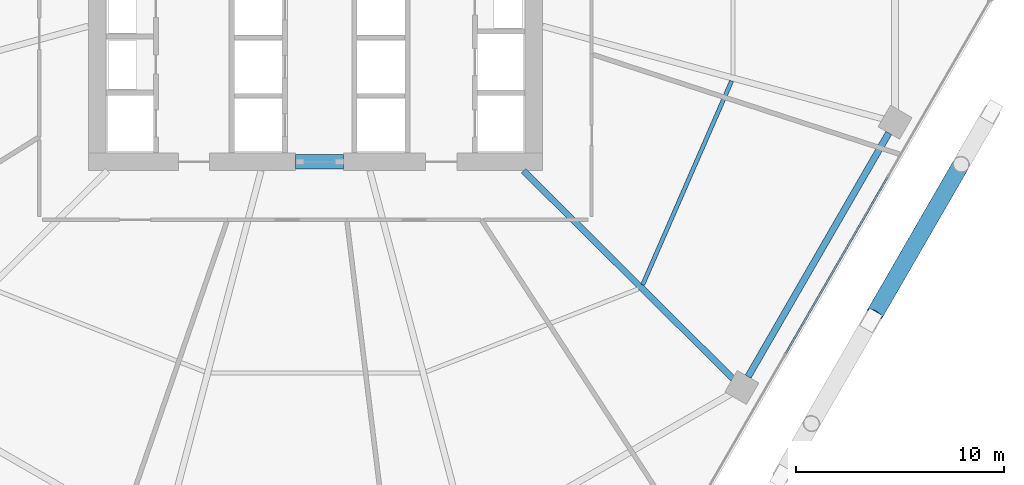
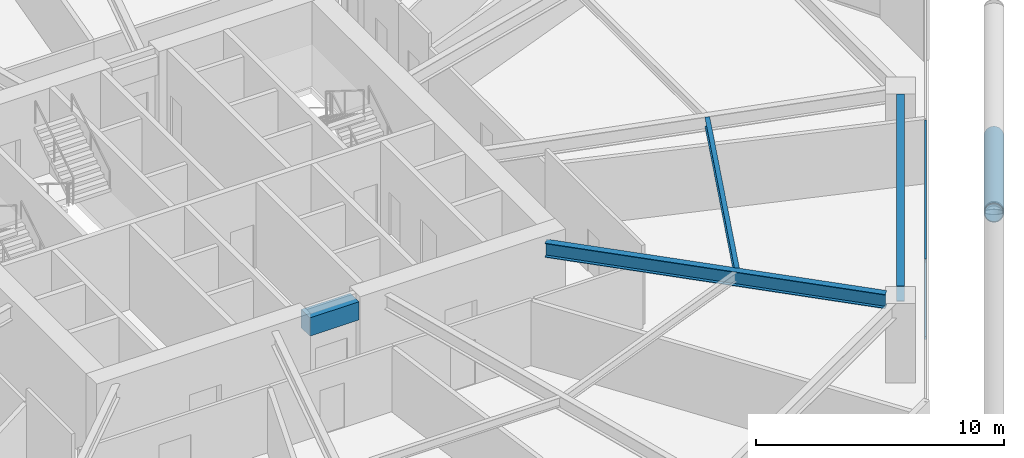
# One storey, part 10 of 28: 4 beams, 3 members, 1 element without a shape of its own.
"""IFC4 building model written with IfcOpenShell, lengths in metres."""

from ifc_helpers import new_model, si_unit, direction, frame, origin, origin_2d, place, context, subcontext, project, spatial, rectangle, hollow_rectangle, hollow_circle, i_section, extrude, material, material_profile, profile_set, type_object, element, aggregate, save


model = new_model("IFC4")

# Units and contexts
model_context = context("Model", 3, precision=1e-05, world=origin(), true_north=direction((0.0, 1.0)))
body_context = subcontext(model_context, "Body", "Model", "MODEL_VIEW")
ifc_project = project(units=[si_unit("LENGTHUNIT", "METRE"), si_unit("AREAUNIT", "SQUARE_METRE"), si_unit("VOLUMEUNIT", "CUBIC_METRE"), si_unit("PLANEANGLEUNIT", "RADIAN"), si_unit("MASSUNIT", "GRAM", prefix="KILO")], contexts=[model_context])

# Site, building, storey
site_placement = place(None, origin())
site = spatial("IfcSite", under=ifc_project, at=site_placement, CompositionType="ELEMENT")
building_placement = place(site_placement, origin())
building = spatial("IfcBuilding", under=site, at=building_placement, Name="Zuhravey Tower", CompositionType="ELEMENT")
storey_placement = place(building_placement, frame((0.0, 0.0, 24.60009765625)))
storey = spatial("IfcBuildingStorey", under=building, at=storey_placement, Name="L06", CompositionType="ELEMENT", Elevation=24.60009765625)

# Beam
ifc_material_1 = material(Name="Concrete C60/75", Category="concrete")
ifc_material_profile_1 = material_profile(ifc_material_1, rectangle(XDim=0.699951171875, YDim=0.89990234375, at=origin_2d()), Name="RC-700x900")
ifc_profile_set_1 = profile_set([ifc_material_profile_1], Name="Concrete C60/75")
beam_type_1 = type_object("IfcBeamType", Name="Core Coupling Beam RC700x900", PredefinedType="LINTEL", material=ifc_profile_set_1)
beam_1_placement = place(storey_placement, frame((35.052001953125, 22.5, 3.469970703125), z_axis=(1.0, 0.0, 0.0), x_axis=(0.0, 1.0, 0.0)))
element("IfcBeam", 1, at=beam_1_placement, inside=storey, type_object=beam_type_1, Name="L06 CB1 BM-L06-CB-S", PredefinedType="LINTEL", context=body_context, shape_type="SweptSolid", body=[
    extrude(rectangle(XDim=0.699951171875, YDim=0.89990234375, at=origin_2d()), origin(), (0.0, 0.0, 1.0), 2.2958984375),
])

# Curtain wall, members
ifc_material_2 = material(Name="Thermally broken anodised aluminium", Category="aluminium")
curtain_wall_type = type_object("IfcCurtainWallType", Name="School Low-E Unitised Curtain Wall CW1", PredefinedType="NOTDEFINED", material=ifc_material_2)
curtain_wall_placement = place(storey_placement, origin())
curtain_wall = element("IfcCurtainWall", 2, at=curtain_wall_placement, inside=storey, type_object=curtain_wall_type, Name="L06 CW1 CW-L06-F6-1", PredefinedType="NOTDEFINED")
ifc_material_3 = material(Name="Anodised aluminium", Category="aluminium")
ifc_material_profile_2 = material_profile(ifc_material_3, hollow_rectangle(XDim=0.090087890625, YDim=0.14990234375, WallThickness=0.0048828125, at=origin_2d()), Name="ALU-RHS-90x150x5")
ifc_profile_set_2 = profile_set([ifc_material_profile_2], Name="Anodised aluminium")
member_type_1 = type_object("IfcMemberType", Name="Curtain-Wall Transom 90x150", PredefinedType="USERDEFINED", material=ifc_profile_set_2)
member_1_placement = place(storey_placement, frame((63.52294921875, 21.754150390625, 0.044921875), z_axis=(-0.499990498062, -0.866030889661, 0.0), x_axis=(0.866030889661, -0.499990498062, 0.0)))
member_1 = element("IfcMember", 3, at=member_1_placement, type_object=member_type_1, Name="CW1 transom 2.1", ObjectType="TRANSOM", PredefinedType="USERDEFINED", context=body_context, shape_type="SweptSolid", body=[
    extrude(hollow_rectangle(XDim=0.090087890625, YDim=0.14990234375, WallThickness=0.0048828125, at=origin_2d()), origin(), (0.0, 0.0, 1.0), 9.776611328125),
])
member_2_placement = place(storey_placement, frame((63.52294921875, 21.754150390625, 3.875), z_axis=(-0.499990498062, -0.866030889661, 0.0), x_axis=(0.866030889661, -0.499990498062, 0.0)))
member_2 = element("IfcMember", 4, at=member_2_placement, type_object=member_type_1, Name="CW1 transom 2.2", ObjectType="TRANSOM", PredefinedType="USERDEFINED", context=body_context, shape_type="SweptSolid", body=[
    extrude(hollow_rectangle(XDim=0.090087890625, YDim=0.14990234375, WallThickness=0.0048828125, at=origin_2d()), origin(), (0.0, 0.0, 1.0), 9.776611328125),
])
aggregate(curtain_wall, [member_1, member_2])

# Member
ifc_material_4 = material(Name="Steel SM460", Category="steel")
ifc_material_profile_3 = material_profile(ifc_material_4, hollow_circle(Radius=0.406494140625, WallThickness=0.035888671875, at=origin_2d()), Name="CHS-812.8x36")
ifc_profile_set_3 = profile_set([ifc_material_profile_3], Name="Steel SM460")
member_type_2 = type_object("IfcMemberType", Name="Exoskeleton Zone 1 Diagrid CHS813x36", PredefinedType="BRACE", material=ifc_profile_set_3)
member_3_placement = place(storey_placement, frame((68.513671875, 24.87841796875, -0.47705078125), z_axis=(-0.470165522703, -0.814361240323, 0.340235435427), x_axis=(0.866028239721, -0.499995087982, 0.0)))
element("IfcMember", 5, at=member_3_placement, inside=storey, type_object=member_type_2, Name="L06 Face 6 Split Diagrid Brace 3A", PredefinedType="BRACE", context=body_context, shape_type="SweptSolid", body=[
    extrude(hollow_circle(Radius=0.406494140625, WallThickness=0.035888671875, at=origin_2d()), origin(), (0.0, 0.0, 1.0), 11.89794921875),
])

# Beams
ifc_material_5 = material(Name="Steel SM355", Category="steel")
ifc_material_profile_4 = material_profile(ifc_material_5, i_section(OverallWidth=0.320068359375, OverallDepth=0.75, WebThickness=0.013916015625, FlangeThickness=0.02490234375, at=origin_2d()), Name="H-750x320x14x25")
ifc_profile_set_4 = profile_set([ifc_material_profile_4], Name="Steel SM355")
beam_type_2 = type_object("IfcBeamType", Name="Perimeter Ring Beam H750x320", PredefinedType="BEAM", material=ifc_profile_set_4)
beam_2_placement = place(storey_placement, frame((56.820556640625, 12.165283203125, 3.544921875), z_axis=(0.499999877243, 0.866025474658, 0.0), x_axis=(-0.866025474658, 0.499999877243, 0.0)))
element("IfcBeam", 6, at=beam_2_placement, inside=storey, type_object=beam_type_2, Name="L06 PB1 BM-L06-PB-11", PredefinedType="BEAM", context=body_context, shape_type="SweptSolid", body=[
    extrude(i_section(OverallWidth=0.320068359375, OverallDepth=0.75, WebThickness=0.013916015625, FlangeThickness=0.02490234375, at=origin_2d()), origin(), (0.0, 0.0, 1.0), 13.5341796875),
])
ifc_material_profile_5 = material_profile(ifc_material_5, i_section(OverallWidth=0.300048828125, OverallDepth=0.699951171875, WebThickness=0.012939453125, FlangeThickness=0.02392578125, at=origin_2d()), Name="H-700x300x13x24")
ifc_profile_set_5 = profile_set([ifc_material_profile_5], Name="Steel SM355")
beam_type_3 = type_object("IfcBeamType", Name="Radial Primary Girder H700x300", PredefinedType="BEAM", material=ifc_profile_set_5)
beam_3_placement = place(storey_placement, frame((46.007080078125, 22.072021484375, 3.56982421875), z_axis=(0.709902823282, -0.704299639, 0.0), x_axis=(0.704299639, 0.709902823282, 0.0)))
element("IfcBeam", 7, at=beam_3_placement, inside=storey, type_object=beam_type_3, Name="L06 RG1 BM-L06-RAD-11", PredefinedType="BEAM", context=body_context, shape_type="SweptSolid", body=[
    extrude(i_section(OverallWidth=0.300048828125, OverallDepth=0.699951171875, WebThickness=0.012939453125, FlangeThickness=0.02392578125, at=origin_2d()), origin(), (0.0, 0.0, 1.0), 14.204345703125),
])
ifc_material_profile_6 = material_profile(ifc_material_5, i_section(OverallWidth=0.199951171875, OverallDepth=0.449951171875, WebThickness=0.009033203125, FlangeThickness=0.013916015625, at=origin_2d()), Name="H-450x200x9x14")
ifc_profile_set_6 = profile_set([ifc_material_profile_6], Name="Steel SM355")
beam_type_4 = type_object("IfcBeamType", Name="Secondary Floor Joist H450x200", PredefinedType="JOIST", material=ifc_profile_set_6)
beam_4_placement = place(storey_placement, frame((51.7451171875, 16.58154296875, 3.69482421875), z_axis=(0.399923551578, 0.916548500022, 0.0), x_axis=(-0.916548500022, 0.399923551578, 0.0)))
element("IfcBeam", 8, at=beam_4_placement, inside=storey, type_object=beam_type_4, Name="L06 SJ1 BM-L06-SJ-11-1", PredefinedType="JOIST", context=body_context, shape_type="SweptSolid", body=[
    extrude(i_section(OverallWidth=0.199951171875, OverallDepth=0.449951171875, WebThickness=0.009033203125, FlangeThickness=0.013916015625, at=origin_2d()), origin(), (0.0, 0.0, 1.0), 10.70263671875),
])

save(model, "model.ifc")
